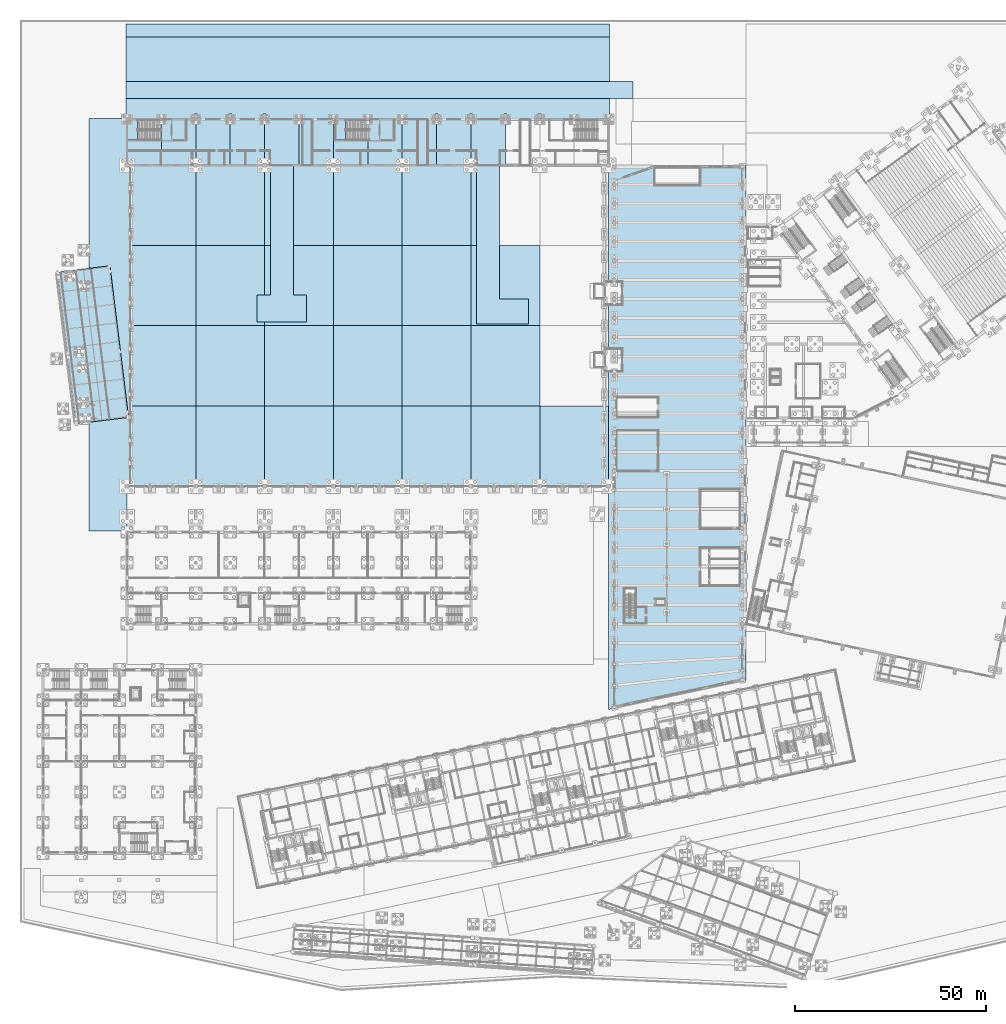
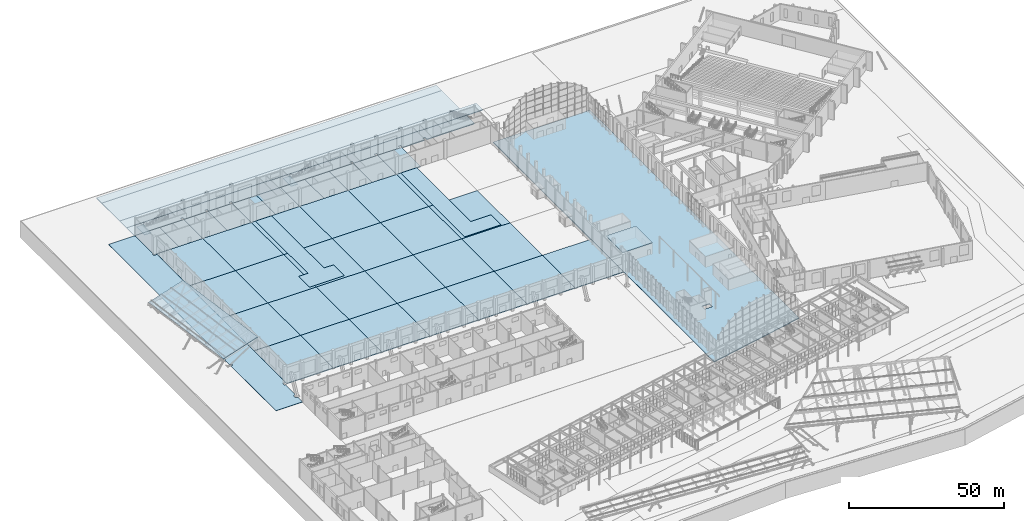
# One storey, part 156 of 239: 50 slabs, 2 elements without a shape of their own.
"""IFC4 building model written with IfcOpenShell, lengths in metres."""

from ifc_helpers import new_model, si_unit, direction, frame, origin, place, context, subcontext, project, spatial, polyline, outline, extrude, material, layer, layer_set, type_object, element, aggregate, save


model = new_model("IFC4")

# Units and contexts
model_context = context("Model", 3, precision=1e-05, world=origin(), true_north=direction((0.0, 1.0)))
body_context = subcontext(model_context, "Body", "Model", "MODEL_VIEW")
ifc_project = project(units=[si_unit("LENGTHUNIT", "METRE"), si_unit("AREAUNIT", "SQUARE_METRE"), si_unit("VOLUMEUNIT", "CUBIC_METRE"), si_unit("PLANEANGLEUNIT", "RADIAN"), si_unit("MASSUNIT", "GRAM", prefix="KILO")], contexts=[model_context])

# Site, building, storey
site_placement = place(None, origin())
site = spatial("IfcSite", under=ifc_project, at=site_placement, CompositionType="ELEMENT")
building_placement = place(site_placement, origin())
building = spatial("IfcBuilding", under=site, at=building_placement, Name="Okhra Congress Centre", CompositionType="ELEMENT")
storey_placement = place(building_placement, origin())
storey = spatial("IfcBuildingStorey", under=building, at=storey_placement, Name="L00", CompositionType="ELEMENT", Elevation=0.0)

# Slabs
ifc_material_1 = material(Name="Insulated metal sandwich roof panel (mineral wool core)")
ifc_layer_1 = layer(ifc_material_1, 0.199951171875)
ifc_layer_set_1 = layer_set([ifc_layer_1], Name="Insulated canopy roof panel 200")
slab_type_1 = type_object("IfcSlabType", Name="Insulated canopy roof panel 200", PredefinedType="ROOF", material=ifc_layer_set_1)
slab_1_placement = place(storey_placement, frame((14.50439453125, 148.2939453125, 4.5517578125), z_axis=(-0.19787121625, -0.024295480372, 0.979926890851), x_axis=(-0.121869450646, 0.992546138474, -7.2656e-08)))
element("IfcSlab", 1, at=slab_1_placement, inside=storey, type_object=slab_type_1, Name="West visor roof panel", PredefinedType="ROOF", context=body_context, shape_type="SweptSolid", body=[
    extrude(outline(polyline([(0.0, 0.0), (39.999813297700165, 0.0), (39.999955500145404, -14.286655322669763), (-0.00010011838935742571, -14.286626166623318), (0.0, 0.0)])), origin(), (0.0, 0.0, -1.0), 0.199951171875),
])
ifc_material_2 = material(Name="Concrete C30/37", Category="concrete")
ifc_layer_2 = layer(ifc_material_2, 0.14990234375)
ifc_layer_set_2 = layer_set([ifc_layer_2], Name="Paving slab 150 C30/37")
slab_type_2 = type_object("IfcSlabType", Name="Paving slab 150 C30/37", PredefinedType="BASESLAB", material=ifc_layer_set_2)
slab_2_placement = place(storey_placement, frame((0.0, 0.0, -0.14990234375)))
element("IfcSlab", 2, at=slab_2_placement, inside=storey, type_object=slab_type_2, Name="Hall West Walk paving", PredefinedType="BASESLAB", context=body_context, shape_type="SweptSolid", body=[
    extrude(outline(polyline([(18.0, 150.164306640625), (18.400634765625, 150.175048828125), (18.48095703125, 150.16162109375), (18.556884765625, 150.1328125), (18.592529296875, 150.113037109375), (18.656982421875, 150.0634765625), (18.710693359375, 150.002197265625), (18.751220703125, 149.931640625), (18.76611328125, 149.893798828125), (18.78466796875, 149.814697265625), (18.787841796875, 149.77392578125), (18.782470703125, 149.69287109375), (18.773681640625, 149.653076171875), (18.7451171875, 149.576904296875), (18.72509765625, 149.541259765625), (18.701904296875, 149.5078125), (18.646240234375, 149.448486328125), (18.580078125, 149.401123046875), (18.506103515625, 149.367919921875), (18.4267578125, 149.349365234375), (18.0, 149.333984375), (18.0, 120.300048828125), (28.0, 120.300048828125), (28.0, 123.114990234375), (27.832275390625, 123.139892578125), (27.75048828125, 123.160400390625), (27.6708984375, 123.18896484375), (27.594482421875, 123.22509765625), (27.522216796875, 123.268310546875), (27.454345703125, 123.318603515625), (27.391845703125, 123.37548828125), (27.335205078125, 123.43798828125), (27.284912109375, 123.505615234375), (27.241455078125, 123.578125), (27.20556640625, 123.654296875), (27.177001953125, 123.73388671875), (27.156494140625, 123.815673828125), (27.14404296875, 123.899169921875), (27.139892578125, 123.983154296875), (27.139892578125, 124.391357421875), (27.14404296875, 124.475341796875), (27.156494140625, 124.558837890625), (27.177001953125, 124.640625), (27.20556640625, 124.72021484375), (27.241455078125, 124.79638671875), (27.284912109375, 124.868896484375), (27.335205078125, 124.936767578125), (27.391845703125, 124.999267578125), (27.454345703125, 125.055908203125), (27.522216796875, 125.106201171875), (27.594482421875, 125.149658203125), (27.6708984375, 125.185546875), (27.75048828125, 125.214111328125), (27.832275390625, 125.234619140625), (28.0, 125.259521484375), (28.0, 131.489990234375), (27.489990234375, 131.489990234375), (27.489990234375, 132.510009765625), (28.715087890625, 132.510009765625), (28.715087890625, 215.489990234375), (27.489990234375, 215.489990234375), (27.489990234375, 216.510009765625), (27.81494140625, 216.510009765625), (27.81494140625, 227.739990234375), (27.739990234375, 227.739990234375), (27.739990234375, 228.175048828125), (18.0, 228.175048828125), (18.0, 185.070556640625), (18.01708984375, 185.027587890625), (18.028564453125, 184.988525390625), (18.039306640625, 184.907958984375), (18.0341796875, 184.82666015625), (18.02587890625, 184.786865234375), (18.0, 184.716552734375), (18.0, 154.002197265625), (18.110107421875, 153.946044921875), (18.144287109375, 153.924072265625), (18.20556640625, 153.87060546875), (18.23193359375, 153.839599609375), (18.275146484375, 153.770751953125), (18.303955078125, 153.694580078125), (18.3125, 153.65478515625), (18.318115234375, 153.573486328125), (18.3076171875, 153.492919921875), (18.296630859375, 153.453857421875), (18.26318359375, 153.379638671875), (18.2412109375, 153.34521484375), (18.187744140625, 153.283935546875), (18.15673828125, 153.257568359375), (18.123291015625, 153.234375), (18.0, 153.165283203125), (18.0, 150.164306640625)])), origin(), (0.0, 0.0, 1.0), 0.14990234375),
])
ifc_material_3 = material(Name="Concrete C25/30", Category="concrete")
ifc_layer_3 = layer(ifc_material_3, 0.300048828125)
ifc_layer_set_3 = layer_set([ifc_layer_3], Name="RC ground slab 300 C25/30")
slab_type_3 = type_object("IfcSlabType", Name="RC ground slab 300 C25/30", PredefinedType="BASESLAB", material=ifc_layer_set_3)
slab_3_placement = place(storey_placement, frame((0.0, 0.0, -0.300048828125)))
element("IfcSlab", 3, at=slab_3_placement, inside=storey, type_object=slab_type_3, Name="EH.SLAB.L00.H1", PredefinedType="BASESLAB", context=body_context, shape_type="SweptSolid", body=[
    extrude(outline(polyline([(28.72509765625, 131.85009765625), (46.0, 131.85009765625), (46.0, 153.0), (28.72509765625, 153.0), (28.72509765625, 131.85009765625)])), origin(), (0.0, 0.0, 1.0), 0.300048828125),
])
slab_4_placement = place(storey_placement, frame((0.0, 0.0, -0.300048828125)))
element("IfcSlab", 4, at=slab_4_placement, inside=storey, type_object=slab_type_3, Name="EH.SLAB.L00.H2", PredefinedType="BASESLAB", context=body_context, shape_type="SweptSolid", body=[
    extrude(outline(polyline([(28.72509765625, 153.0), (46.0, 153.0), (46.0, 174.0), (28.72509765625, 174.0), (28.72509765625, 153.0)])), origin(), (0.0, 0.0, 1.0), 0.300048828125),
])
slab_5_placement = place(storey_placement, frame((0.0, 0.0, -0.300048828125)))
element("IfcSlab", 5, at=slab_5_placement, inside=storey, type_object=slab_type_3, Name="EH.SLAB.L00.H3", PredefinedType="BASESLAB", context=body_context, shape_type="SweptSolid", body=[
    extrude(outline(polyline([(28.72509765625, 174.0), (46.0, 174.0), (46.0, 195.0), (28.72509765625, 195.0), (28.72509765625, 174.0)])), origin(), (0.0, 0.0, 1.0), 0.300048828125),
])
slab_6_placement = place(storey_placement, frame((0.0, 0.0, -0.300048828125)))
element("IfcSlab", 6, at=slab_6_placement, inside=storey, type_object=slab_type_3, Name="EH.SLAB.L00.H4", PredefinedType="BASESLAB", context=body_context, shape_type="SweptSolid", body=[
    extrude(outline(polyline([(28.72509765625, 195.0), (46.0, 195.0), (46.0, 215.85009765625), (28.72509765625, 215.85009765625), (28.72509765625, 195.0)])), origin(), (0.0, 0.0, 1.0), 0.300048828125),
])
slab_7_placement = place(storey_placement, frame((0.0, 0.0, -0.300048828125)))
element("IfcSlab", 7, at=slab_7_placement, inside=storey, type_object=slab_type_3, Name="EH.SLAB.L00.H5", PredefinedType="BASESLAB", context=body_context, shape_type="SweptSolid", body=[
    extrude(outline(polyline([(46.0, 131.85009765625), (64.0, 131.85009765625), (64.0, 153.0), (46.0, 153.0), (46.0, 131.85009765625)])), origin(), (0.0, 0.0, 1.0), 0.300048828125),
])
slab_8_placement = place(storey_placement, frame((0.0, 0.0, -0.300048828125)))
element("IfcSlab", 8, at=slab_8_placement, inside=storey, type_object=slab_type_3, Name="EH.SLAB.L00.H6", PredefinedType="BASESLAB", context=body_context, shape_type="SweptSolid", body=[
    extrude(outline(polyline([(46.0, 153.0), (64.0, 153.0), (64.0, 174.0), (46.0, 174.0), (46.0, 153.0)])), origin(), (0.0, 0.0, 1.0), 0.300048828125),
])
slab_9_placement = place(storey_placement, frame((0.0, 0.0, -0.300048828125)))
element("IfcSlab", 9, at=slab_9_placement, inside=storey, type_object=slab_type_3, Name="EH.SLAB.L00.H7", PredefinedType="BASESLAB", context=body_context, shape_type="SweptSolid", body=[
    extrude(outline(polyline([(64.0, 175.0), (62.0, 175.0), (62.0, 182.0), (64.0, 182.0), (64.0, 195.0), (46.0, 195.0), (46.0, 174.0), (64.0, 174.0), (64.0, 175.0)])), origin(), (0.0, 0.0, 1.0), 0.300048828125),
])
slab_10_placement = place(storey_placement, frame((0.0, 0.0, -0.300048828125)))
element("IfcSlab", 10, at=slab_10_placement, inside=storey, type_object=slab_type_3, Name="EH.SLAB.L00.H8", PredefinedType="BASESLAB", context=body_context, shape_type="SweptSolid", body=[
    extrude(outline(polyline([(46.0, 195.0), (64.0, 195.0), (64.0, 215.85009765625), (46.0, 215.85009765625), (46.0, 195.0)])), origin(), (0.0, 0.0, 1.0), 0.300048828125),
])
slab_11_placement = place(storey_placement, frame((0.0, 0.0, -0.300048828125)))
element("IfcSlab", 11, at=slab_11_placement, inside=storey, type_object=slab_type_3, Name="EH.SLAB.L00.H9", PredefinedType="BASESLAB", context=body_context, shape_type="SweptSolid", body=[
    extrude(outline(polyline([(64.0, 131.85009765625), (82.0, 131.85009765625), (82.0, 153.0), (64.0, 153.0), (64.0, 131.85009765625)])), origin(), (0.0, 0.0, 1.0), 0.300048828125),
])
slab_12_placement = place(storey_placement, frame((0.0, 0.0, -0.300048828125)))
element("IfcSlab", 12, at=slab_12_placement, inside=storey, type_object=slab_type_3, Name="EH.SLAB.L00.H10", PredefinedType="BASESLAB", context=body_context, shape_type="SweptSolid", body=[
    extrude(outline(polyline([(64.0, 153.0), (82.0, 153.0), (82.0, 174.0), (64.0, 174.0), (64.0, 153.0)])), origin(), (0.0, 0.0, 1.0), 0.300048828125),
])
slab_13_placement = place(storey_placement, frame((0.0, 0.0, -0.300048828125)))
element("IfcSlab", 13, at=slab_13_placement, inside=storey, type_object=slab_type_3, Name="EH.SLAB.L00.H11", PredefinedType="BASESLAB", context=body_context, shape_type="SweptSolid", body=[
    extrude(outline(polyline([(71.5, 195.0), (71.5, 182.0), (75.0, 182.0), (75.0, 175.0), (64.0, 175.0), (64.0, 174.0), (82.0, 174.0), (82.0, 195.0), (71.5, 195.0)])), origin(), (0.0, 0.0, 1.0), 0.300048828125),
])
slab_14_placement = place(storey_placement, frame((0.0, 0.0, -0.300048828125)))
element("IfcSlab", 14, at=slab_14_placement, inside=storey, type_object=slab_type_3, Name="EH.SLAB.L00.H12", PredefinedType="BASESLAB", context=body_context, shape_type="SweptSolid", body=[
    extrude(outline(polyline([(64.0, 182.0), (65.5, 182.0), (65.5, 195.0), (64.0, 195.0), (64.0, 182.0)])), origin(), (0.0, 0.0, 1.0), 0.300048828125),
])
slab_15_placement = place(storey_placement, frame((0.0, 0.0, -0.300048828125)))
element("IfcSlab", 15, at=slab_15_placement, inside=storey, type_object=slab_type_3, Name="EH.SLAB.L00.H13", PredefinedType="BASESLAB", context=body_context, shape_type="SweptSolid", body=[
    extrude(outline(polyline([(65.5, 195.0), (65.5, 215.85009765625), (64.0, 215.85009765625), (64.0, 195.0), (65.5, 195.0)])), origin(), (0.0, 0.0, 1.0), 0.300048828125),
])
slab_16_placement = place(storey_placement, frame((0.0, 0.0, -0.300048828125)))
element("IfcSlab", 16, at=slab_16_placement, inside=storey, type_object=slab_type_3, Name="EH.SLAB.L00.H14", PredefinedType="BASESLAB", context=body_context, shape_type="SweptSolid", body=[
    extrude(outline(polyline([(71.5, 215.85009765625), (71.5, 195.0), (82.0, 195.0), (82.0, 215.85009765625), (71.5, 215.85009765625)])), origin(), (0.0, 0.0, 1.0), 0.300048828125),
])
slab_17_placement = place(storey_placement, frame((0.0, 0.0, -0.300048828125)))
element("IfcSlab", 17, at=slab_17_placement, inside=storey, type_object=slab_type_3, Name="EH.SLAB.L00.H15", PredefinedType="BASESLAB", context=body_context, shape_type="SweptSolid", body=[
    extrude(outline(polyline([(82.0, 131.85009765625), (100.0, 131.85009765625), (100.0, 153.0), (82.0, 153.0), (82.0, 131.85009765625)])), origin(), (0.0, 0.0, 1.0), 0.300048828125),
])
slab_18_placement = place(storey_placement, frame((0.0, 0.0, -0.300048828125)))
element("IfcSlab", 18, at=slab_18_placement, inside=storey, type_object=slab_type_3, Name="EH.SLAB.L00.H16", PredefinedType="BASESLAB", context=body_context, shape_type="SweptSolid", body=[
    extrude(outline(polyline([(82.0, 153.0), (100.0, 153.0), (100.0, 174.0), (82.0, 174.0), (82.0, 153.0)])), origin(), (0.0, 0.0, 1.0), 0.300048828125),
])
slab_19_placement = place(storey_placement, frame((0.0, 0.0, -0.300048828125)))
element("IfcSlab", 19, at=slab_19_placement, inside=storey, type_object=slab_type_3, Name="EH.SLAB.L00.H17", PredefinedType="BASESLAB", context=body_context, shape_type="SweptSolid", body=[
    extrude(outline(polyline([(82.0, 174.0), (100.0, 174.0), (100.0, 195.0), (82.0, 195.0), (82.0, 174.0)])), origin(), (0.0, 0.0, 1.0), 0.300048828125),
])
slab_20_placement = place(storey_placement, frame((0.0, 0.0, -0.300048828125)))
element("IfcSlab", 20, at=slab_20_placement, inside=storey, type_object=slab_type_3, Name="EH.SLAB.L00.H18", PredefinedType="BASESLAB", context=body_context, shape_type="SweptSolid", body=[
    extrude(outline(polyline([(82.0, 195.0), (100.0, 195.0), (100.0, 215.85009765625), (82.0, 215.85009765625), (82.0, 195.0)])), origin(), (0.0, 0.0, 1.0), 0.300048828125),
])
slab_21_placement = place(storey_placement, frame((0.0, 0.0, -0.300048828125)))
element("IfcSlab", 21, at=slab_21_placement, inside=storey, type_object=slab_type_3, Name="EH.SLAB.L00.H19", PredefinedType="BASESLAB", context=body_context, shape_type="SweptSolid", body=[
    extrude(outline(polyline([(100.0, 131.85009765625), (118.0, 131.85009765625), (118.0, 153.0), (100.0, 153.0), (100.0, 131.85009765625)])), origin(), (0.0, 0.0, 1.0), 0.300048828125),
])
slab_22_placement = place(storey_placement, frame((0.0, 0.0, -0.300048828125)))
element("IfcSlab", 22, at=slab_22_placement, inside=storey, type_object=slab_type_3, Name="EH.SLAB.L00.H20", PredefinedType="BASESLAB", context=body_context, shape_type="SweptSolid", body=[
    extrude(outline(polyline([(100.0, 153.0), (118.0, 153.0), (118.0, 174.0), (100.0, 174.0), (100.0, 153.0)])), origin(), (0.0, 0.0, 1.0), 0.300048828125),
])
slab_23_placement = place(storey_placement, frame((0.0, 0.0, -0.300048828125)))
element("IfcSlab", 23, at=slab_23_placement, inside=storey, type_object=slab_type_3, Name="EH.SLAB.L00.H21", PredefinedType="BASESLAB", context=body_context, shape_type="SweptSolid", body=[
    extrude(outline(polyline([(100.0, 174.0), (118.0, 174.0), (118.0, 195.0), (100.0, 195.0), (100.0, 174.0)])), origin(), (0.0, 0.0, 1.0), 0.300048828125),
])
slab_24_placement = place(storey_placement, frame((0.0, 0.0, -0.300048828125)))
element("IfcSlab", 24, at=slab_24_placement, inside=storey, type_object=slab_type_3, Name="EH.SLAB.L00.H22", PredefinedType="BASESLAB", context=body_context, shape_type="SweptSolid", body=[
    extrude(outline(polyline([(100.0, 195.0), (118.0, 195.0), (118.0, 215.85009765625), (100.0, 215.85009765625), (100.0, 195.0)])), origin(), (0.0, 0.0, 1.0), 0.300048828125),
])
slab_25_placement = place(storey_placement, frame((0.0, 0.0, -0.300048828125)))
element("IfcSlab", 25, at=slab_25_placement, inside=storey, type_object=slab_type_3, Name="EH.SLAB.L00.H23", PredefinedType="BASESLAB", context=body_context, shape_type="SweptSolid", body=[
    extrude(outline(polyline([(118.0, 131.85009765625), (136.0, 131.85009765625), (136.0, 153.0), (118.0, 153.0), (118.0, 131.85009765625)])), origin(), (0.0, 0.0, 1.0), 0.300048828125),
])
slab_26_placement = place(storey_placement, frame((0.0, 0.0, -0.300048828125)))
element("IfcSlab", 26, at=slab_26_placement, inside=storey, type_object=slab_type_3, Name="EH.SLAB.L00.H24", PredefinedType="BASESLAB", context=body_context, shape_type="SweptSolid", body=[
    extrude(outline(polyline([(118.0, 153.0), (136.0, 153.0), (136.0, 174.0), (118.0, 174.0), (118.0, 153.0)])), origin(), (0.0, 0.0, 1.0), 0.300048828125),
])
slab_27_placement = place(storey_placement, frame((0.0, 0.0, -0.300048828125)))
element("IfcSlab", 27, at=slab_27_placement, inside=storey, type_object=slab_type_3, Name="EH.SLAB.L00.H25", PredefinedType="BASESLAB", context=body_context, shape_type="SweptSolid", body=[
    extrude(outline(polyline([(125.5, 195.0), (125.5, 181.0), (133.0, 181.0), (133.0, 174.5), (119.5, 174.5), (119.5, 195.0), (118.0, 195.0), (118.0, 174.0), (136.0, 174.0), (136.0, 195.0), (125.5, 195.0)])), origin(), (0.0, 0.0, 1.0), 0.300048828125),
])
slab_28_placement = place(storey_placement, frame((0.0, 0.0, -0.300048828125)))
element("IfcSlab", 28, at=slab_28_placement, inside=storey, type_object=slab_type_3, Name="EH.SLAB.L00.H26", PredefinedType="BASESLAB", context=body_context, shape_type="SweptSolid", body=[
    extrude(outline(polyline([(119.5, 195.0), (119.5, 215.85009765625), (118.0, 215.85009765625), (118.0, 195.0), (119.5, 195.0)])), origin(), (0.0, 0.0, 1.0), 0.300048828125),
])
slab_29_placement = place(storey_placement, frame((0.0, 0.0, -0.300048828125)))
element("IfcSlab", 29, at=slab_29_placement, inside=storey, type_object=slab_type_3, Name="EH.SLAB.L00.H28", PredefinedType="BASESLAB", context=body_context, shape_type="SweptSolid", body=[
    extrude(outline(polyline([(136.0, 131.85009765625), (154.0, 131.85009765625), (154.0, 153.0), (136.0, 153.0), (136.0, 131.85009765625)])), origin(), (0.0, 0.0, 1.0), 0.300048828125),
])
slab_30_placement = place(storey_placement, frame((0.0, 0.0, -0.300048828125)))
element("IfcSlab", 30, at=slab_30_placement, inside=storey, type_object=slab_type_3, Name="EH.SLAB.L00.K1", PredefinedType="BASESLAB", context=body_context, shape_type="SweptSolid", body=[
    extrude(outline(polyline([(27.824951171875, 215.85009765625), (37.0, 215.85009765625), (37.0, 228.175048828125), (27.824951171875, 228.175048828125), (27.824951171875, 215.85009765625)])), origin(), (0.0, 0.0, 1.0), 0.300048828125),
])
slab_31_placement = place(storey_placement, frame((0.0, 0.0, -0.300048828125)))
element("IfcSlab", 31, at=slab_31_placement, inside=storey, type_object=slab_type_3, Name="EH.SLAB.L00.K2", PredefinedType="BASESLAB", context=body_context, shape_type="SweptSolid", body=[
    extrude(outline(polyline([(37.0, 215.85009765625), (46.0, 215.85009765625), (46.0, 228.175048828125), (37.0, 228.175048828125), (37.0, 215.85009765625)])), origin(), (0.0, 0.0, 1.0), 0.300048828125),
])
slab_32_placement = place(storey_placement, frame((0.0, 0.0, -0.300048828125)))
element("IfcSlab", 32, at=slab_32_placement, inside=storey, type_object=slab_type_3, Name="EH.SLAB.L00.K3", PredefinedType="BASESLAB", context=body_context, shape_type="SweptSolid", body=[
    extrude(outline(polyline([(46.0, 215.85009765625), (55.0, 215.85009765625), (55.0, 228.175048828125), (46.0, 228.175048828125), (46.0, 215.85009765625)])), origin(), (0.0, 0.0, 1.0), 0.300048828125),
])
slab_33_placement = place(storey_placement, frame((0.0, 0.0, -0.300048828125)))
element("IfcSlab", 33, at=slab_33_placement, inside=storey, type_object=slab_type_3, Name="EH.SLAB.L00.K4", PredefinedType="BASESLAB", context=body_context, shape_type="SweptSolid", body=[
    extrude(outline(polyline([(55.0, 215.85009765625), (64.0, 215.85009765625), (64.0, 228.175048828125), (55.0, 228.175048828125), (55.0, 215.85009765625)])), origin(), (0.0, 0.0, 1.0), 0.300048828125),
])
slab_34_placement = place(storey_placement, frame((0.0, 0.0, -0.300048828125)))
element("IfcSlab", 34, at=slab_34_placement, inside=storey, type_object=slab_type_3, Name="EH.SLAB.L00.K6", PredefinedType="BASESLAB", context=body_context, shape_type="SweptSolid", body=[
    extrude(outline(polyline([(73.0, 215.85009765625), (82.0, 215.85009765625), (82.0, 228.175048828125), (73.0, 228.175048828125), (73.0, 215.85009765625)])), origin(), (0.0, 0.0, 1.0), 0.300048828125),
])
slab_35_placement = place(storey_placement, frame((0.0, 0.0, -0.300048828125)))
element("IfcSlab", 35, at=slab_35_placement, inside=storey, type_object=slab_type_3, Name="EH.SLAB.L00.K7", PredefinedType="BASESLAB", context=body_context, shape_type="SweptSolid", body=[
    extrude(outline(polyline([(82.0, 215.85009765625), (91.0, 215.85009765625), (91.0, 228.175048828125), (82.0, 228.175048828125), (82.0, 215.85009765625)])), origin(), (0.0, 0.0, 1.0), 0.300048828125),
])
slab_36_placement = place(storey_placement, frame((0.0, 0.0, -0.300048828125)))
element("IfcSlab", 36, at=slab_36_placement, inside=storey, type_object=slab_type_3, Name="EH.SLAB.L00.K8", PredefinedType="BASESLAB", context=body_context, shape_type="SweptSolid", body=[
    extrude(outline(polyline([(91.0, 215.85009765625), (100.0, 215.85009765625), (100.0, 228.175048828125), (91.0, 228.175048828125), (91.0, 215.85009765625)])), origin(), (0.0, 0.0, 1.0), 0.300048828125),
])
slab_37_placement = place(storey_placement, frame((0.0, 0.0, -0.300048828125)))
element("IfcSlab", 37, at=slab_37_placement, inside=storey, type_object=slab_type_3, Name="EH.SLAB.L00.K9", PredefinedType="BASESLAB", context=body_context, shape_type="SweptSolid", body=[
    extrude(outline(polyline([(100.0, 215.85009765625), (109.0, 215.85009765625), (109.0, 228.175048828125), (100.0, 228.175048828125), (100.0, 215.85009765625)])), origin(), (0.0, 0.0, 1.0), 0.300048828125),
])
slab_38_placement = place(storey_placement, frame((0.0, 0.0, -0.300048828125)))
element("IfcSlab", 38, at=slab_38_placement, inside=storey, type_object=slab_type_3, Name="EH.SLAB.L00.K10", PredefinedType="BASESLAB", context=body_context, shape_type="SweptSolid", body=[
    extrude(outline(polyline([(109.0, 215.85009765625), (118.0, 215.85009765625), (118.0, 228.175048828125), (109.0, 228.175048828125), (109.0, 215.85009765625)])), origin(), (0.0, 0.0, 1.0), 0.300048828125),
])
slab_39_placement = place(storey_placement, frame((0.0, 0.0, -0.300048828125)))
element("IfcSlab", 39, at=slab_39_placement, inside=storey, type_object=slab_type_3, Name="Winter Garden ground slab", PredefinedType="BASESLAB", context=body_context, shape_type="SweptSolid", body=[
    extrude(outline(polyline([(154.0, 73.578125), (190.0, 81.231689453125), (190.0, 216.0), (154.0, 216.0), (154.0, 73.578125)]), holes=[polyline([(166.10009765625, 100.699951171875), (168.89990234375, 100.699951171875), (168.89990234375, 102.60009765625), (166.10009765625, 102.60009765625), (166.10009765625, 100.699951171875)])]), origin(), (0.0, 0.0, 1.0), 0.300048828125),
])
ifc_material_4 = material(Name="Concrete C35/45", Category="concrete")
ifc_layer_4 = layer(ifc_material_4, 0.25)
ifc_layer_set_4 = layer_set([ifc_layer_4], Name="RC heavy-duty yard slab 250 C35/45")
slab_type_4 = type_object("IfcSlabType", Name="RC heavy-duty yard slab 250 C35/45", PredefinedType="BASESLAB", material=ifc_layer_set_4)
slab_40_placement = place(storey_placement, frame((0.0, 0.0, -0.39990234375)))
element("IfcSlab", 40, at=slab_40_placement, inside=storey, type_object=slab_type_4, Name="Fire Route North paving", PredefinedType="BASESLAB", context=body_context, shape_type="SweptSolid", body=[
    extrude(outline(polyline([(160.39990234375, 237.89990234375), (27.800048828125, 237.89990234375), (27.800048828125, 233.5), (160.39990234375, 233.5), (160.39990234375, 237.89990234375)])), origin(), (0.0, 0.0, 1.0), 0.25),
])
slab_41_placement = place(storey_placement, frame((0.0, 0.0, -0.39990234375)))
element("IfcSlab", 41, at=slab_41_placement, inside=storey, type_object=slab_type_4, Name="Service Yard Dock Apron 1 paving", PredefinedType="BASESLAB", context=body_context, shape_type="SweptSolid", body=[
    extrude(outline(polyline([(36.739990234375, 228.18505859375), (36.739990234375, 228.260009765625), (37.260009765625, 228.260009765625), (37.260009765625, 228.18505859375), (45.590087890625, 228.18505859375), (45.590087890625, 229.385009765625), (46.409912109375, 229.385009765625), (46.409912109375, 228.18505859375), (54.590087890625, 228.18505859375), (54.590087890625, 229.385009765625), (55.409912109375, 229.385009765625), (55.409912109375, 228.18505859375), (63.590087890625, 228.18505859375), (63.590087890625, 229.385009765625), (64.409912109375, 229.385009765625), (64.409912109375, 228.18505859375), (72.739990234375, 228.18505859375), (72.739990234375, 228.260009765625), (73.260009765625, 228.260009765625), (73.260009765625, 228.18505859375), (81.739990234375, 228.18505859375), (81.739990234375, 228.260009765625), (82.260009765625, 228.260009765625), (82.260009765625, 228.18505859375), (90.739990234375, 228.18505859375), (90.739990234375, 228.260009765625), (91.260009765625, 228.260009765625), (91.260009765625, 228.18505859375), (99.739990234375, 228.18505859375), (99.739990234375, 228.260009765625), (100.260009765625, 228.260009765625), (100.260009765625, 228.18505859375), (108.590087890625, 228.18505859375), (108.590087890625, 229.385009765625), (109.409912109375, 229.385009765625), (109.409912109375, 228.18505859375), (117.590087890625, 228.18505859375), (117.590087890625, 229.385009765625), (118.409912109375, 229.385009765625), (118.409912109375, 228.18505859375), (126.590087890625, 228.18505859375), (126.590087890625, 229.385009765625), (127.409912109375, 229.385009765625), (127.409912109375, 228.18505859375), (135.590087890625, 228.18505859375), (135.590087890625, 229.385009765625), (136.409912109375, 229.385009765625), (136.409912109375, 228.18505859375), (144.739990234375, 228.18505859375), (144.739990234375, 228.260009765625), (145.260009765625, 228.260009765625), (145.260009765625, 228.18505859375), (153.739990234375, 228.18505859375), (153.739990234375, 228.260009765625), (154.199951171875, 228.260009765625), (154.199951171875, 233.5), (27.800048828125, 233.5), (27.800048828125, 228.260009765625), (28.260009765625, 228.260009765625), (28.260009765625, 228.18505859375), (36.739990234375, 228.18505859375)])), origin(), (0.0, 0.0, 1.0), 0.25),
])
slab_42_placement = place(storey_placement, frame((0.0, 0.0, -0.39990234375)))
element("IfcSlab", 42, at=slab_42_placement, inside=storey, type_object=slab_type_4, Name="Service Yard Dock Apron 2 paving", PredefinedType="BASESLAB", context=body_context, shape_type="SweptSolid", body=[
    extrude(outline(polyline([(154.199951171875, 249.5), (27.800048828125, 249.5), (27.800048828125, 237.89990234375), (154.199951171875, 237.89990234375), (154.199951171875, 249.5)])), origin(), (0.0, 0.0, 1.0), 0.25),
])
slab_43_placement = place(storey_placement, frame((0.0, 0.0, -0.39990234375)))
element("IfcSlab", 43, at=slab_43_placement, inside=storey, type_object=slab_type_4, Name="Service Yard Turning Area paving", PredefinedType="BASESLAB", context=body_context, shape_type="SweptSolid", body=[
    extrude(outline(polyline([(27.800048828125, 253.0), (27.800048828125, 249.5), (154.199951171875, 249.5), (154.199951171875, 253.0), (27.800048828125, 253.0)])), origin(), (0.0, 0.0, 1.0), 0.25),
])
ifc_layer_5 = layer(ifc_material_2, 0.199951171875)
ifc_layer_set_5 = layer_set([ifc_layer_5], Name="RC roof slab 200 C30/37")
slab_type_5 = type_object("IfcSlabType", Name="RC roof slab 200 C30/37", PredefinedType="ROOF", material=ifc_layer_set_5)
slab_44_placement = place(storey_placement, frame((0.0, 0.0, 4.300048828125)))
element("IfcSlab", 44, at=slab_44_placement, inside=storey, type_object=slab_type_5, Name="Cafe west roof slab", PredefinedType="ROOF", context=body_context, shape_type="SweptSolid", body=[
    extrude(outline(polyline([(156.0, 135.89990234375), (167.10009765625, 135.89990234375), (167.10009765625, 146.699951171875), (156.0, 146.699951171875), (156.0, 135.89990234375)])), origin(), (0.0, 0.0, 1.0), 0.199951171875),
])

# Stair, slab
stair_type = type_object("IfcStairType", Name="Escape stair 2550 wide, 44 risers of 163.6", PredefinedType="HALF_TURN_STAIR", material=ifc_material_2)
stair_1_placement = place(storey_placement, origin())
stair_1 = element("IfcStair", 45, at=stair_1_placement, inside=storey, type_object=stair_type, Name="L00 Escape Stair 1", PredefinedType="HALF_TURN_STAIR")
ifc_layer_6 = layer(ifc_material_2, 0.199951171875)
ifc_layer_set_6 = layer_set([ifc_layer_6], Name="RC stair landing 200 C30/37")
slab_type_6 = type_object("IfcSlabType", Name="RC stair landing 200 C30/37", PredefinedType="LANDING", material=ifc_layer_set_6)
slab_45_placement = place(storey_placement, frame((0.0, 0.0, 3.39990234375)))
slab_45 = element("IfcSlab", 46, at=slab_45_placement, type_object=slab_type_6, Name="ES1 landing 1", PredefinedType="LANDING", context=body_context, shape_type="SweptSolid", body=[
    extrude(outline(polyline([(30.72509765625, 227.824951171875), (28.175048828125, 227.824951171875), (28.175048828125, 222.574951171875), (30.72509765625, 222.574951171875), (30.72509765625, 227.824951171875)])), origin(), (0.0, 0.0, 1.0), 0.2001953125),
])
aggregate(stair_1, [slab_45])

stair_2_placement = place(storey_placement, origin())
stair_2 = element("IfcStair", 47, at=stair_2_placement, inside=storey, type_object=stair_type, Name="L00 Escape Stair 2", PredefinedType="HALF_TURN_STAIR")
slab_46_placement = place(storey_placement, frame((0.0, 0.0, 3.39990234375)))
slab_46 = element("IfcSlab", 48, at=slab_46_placement, type_object=slab_type_6, Name="ES2 landing 1", PredefinedType="LANDING", context=body_context, shape_type="SweptSolid", body=[
    extrude(outline(polyline([(85.14990234375, 227.824951171875), (82.60009765625, 227.824951171875), (82.60009765625, 222.574951171875), (85.14990234375, 222.574951171875), (85.14990234375, 227.824951171875)])), origin(), (0.0, 0.0, 1.0), 0.2001953125),
])
aggregate(stair_2, [slab_46])

# Slabs
ifc_layer_7 = layer(ifc_material_4, 0.39990234375)
ifc_layer_set_7 = layer_set([ifc_layer_7], Name="RC truck lane slab 400 C35/45")
slab_type_7 = type_object("IfcSlabType", Name="RC truck lane slab 400 C35/45", PredefinedType="BASESLAB", material=ifc_layer_set_7)
slab_47_placement = place(storey_placement, frame((0.0, 0.0, -0.39990234375)))
element("IfcSlab", 49, at=slab_47_placement, inside=storey, type_object=slab_type_7, Name="EH.SLAB.L00.TL1", PredefinedType="BASESLAB", context=body_context, shape_type="SweptSolid", body=[
    extrude(outline(polyline([(65.5, 182.0), (62.0, 182.0), (62.0, 175.0), (75.0, 175.0), (75.0, 182.0), (71.5, 182.0), (71.5, 215.85009765625), (65.5, 215.85009765625), (65.5, 182.0)])), origin(), (0.0, 0.0, 1.0), 0.39990234375),
])
slab_48_placement = place(storey_placement, frame((0.0, 0.0, -0.39990234375)))
element("IfcSlab", 50, at=slab_48_placement, inside=storey, type_object=slab_type_7, Name="EH.SLAB.L00.TL2", PredefinedType="BASESLAB", context=body_context, shape_type="SweptSolid", body=[
    extrude(outline(polyline([(119.5, 174.5), (133.0, 174.5), (133.0, 181.0), (125.5, 181.0), (125.5, 215.85009765625), (119.5, 215.85009765625), (119.5, 174.5)])), origin(), (0.0, 0.0, 1.0), 0.39990234375),
])
slab_49_placement = place(storey_placement, frame((0.0, 0.0, -0.39990234375)))
element("IfcSlab", 51, at=slab_49_placement, inside=storey, type_object=slab_type_7, Name="EH.SLAB.L00.K5", PredefinedType="BASESLAB", context=body_context, shape_type="SweptSolid", body=[
    extrude(outline(polyline([(64.0, 215.85009765625), (73.0, 215.85009765625), (73.0, 228.175048828125), (64.0, 228.175048828125), (64.0, 215.85009765625)])), origin(), (0.0, 0.0, 1.0), 0.39990234375),
])
slab_50_placement = place(storey_placement, frame((0.0, 0.0, -0.39990234375)))
element("IfcSlab", 52, at=slab_50_placement, inside=storey, type_object=slab_type_7, Name="EH.SLAB.L00.K11", PredefinedType="BASESLAB", context=body_context, shape_type="SweptSolid", body=[
    extrude(outline(polyline([(118.0, 215.85009765625), (127.0, 215.85009765625), (127.0, 228.175048828125), (118.0, 228.175048828125), (118.0, 215.85009765625)])), origin(), (0.0, 0.0, 1.0), 0.39990234375),
])

save(model, "model.ifc")
